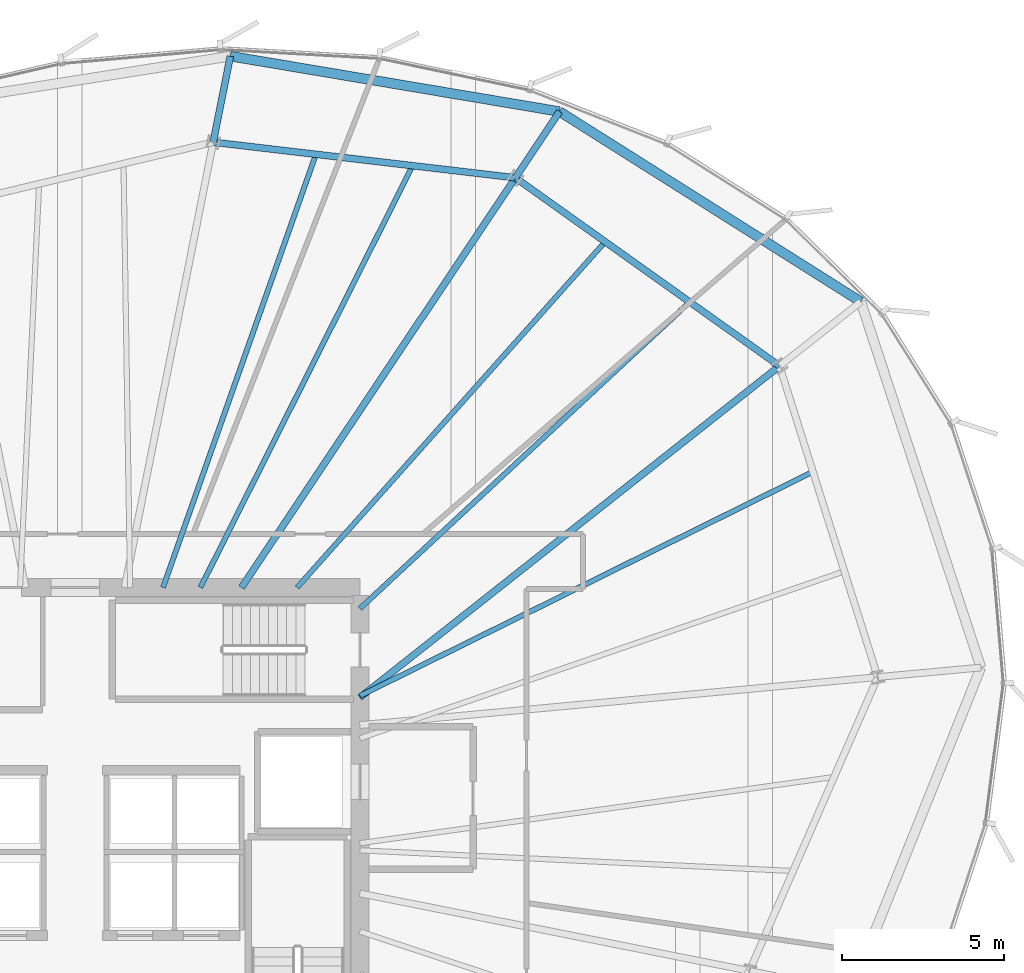
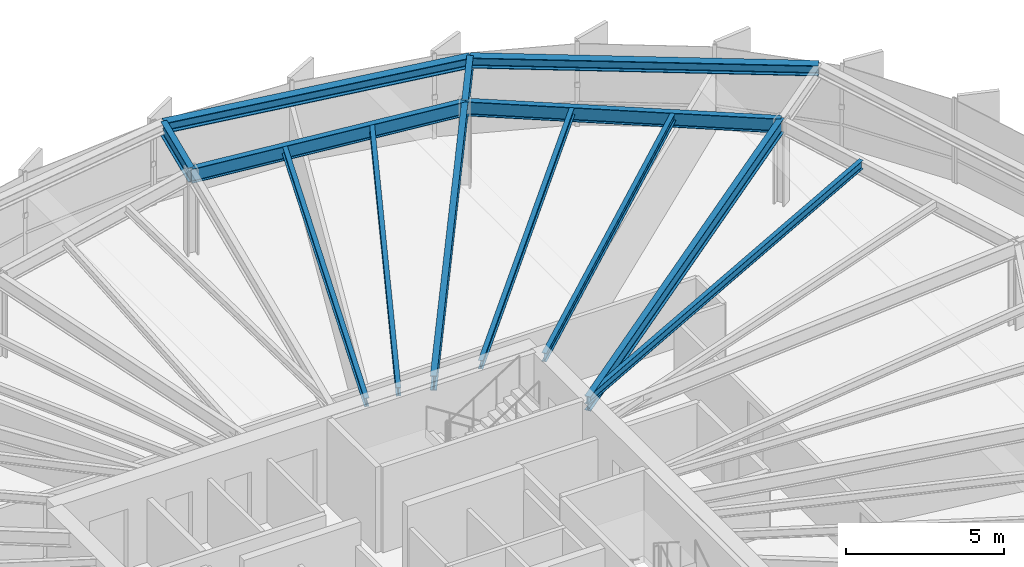
# One storey, part 24 of 35: 13 beams.
"""IFC4 building model written with IfcOpenShell, lengths in metres."""

from ifc_helpers import new_model, si_unit, direction, frame, origin, origin_2d, place, context, subcontext, project, spatial, i_section, extrude, source, transform, mapped, material, material_profile, profile_set, type_object, element, save


model = new_model("IFC4")

# Units and contexts
model_context = context("Model", 3, precision=1e-05, world=origin(), true_north=direction((0.0, 1.0)))
body_context = subcontext(model_context, "Body", "Model", "MODEL_VIEW")
ifc_project = project(units=[si_unit("LENGTHUNIT", "METRE"), si_unit("AREAUNIT", "SQUARE_METRE"), si_unit("VOLUMEUNIT", "CUBIC_METRE"), si_unit("PLANEANGLEUNIT", "RADIAN"), si_unit("MASSUNIT", "GRAM", prefix="KILO"), si_unit("THERMODYNAMICTEMPERATUREUNIT", "KELVIN")], contexts=[model_context])

# Site, building, storey
site_placement = place(None, origin())
site = spatial("IfcSite", under=ifc_project, at=site_placement, CompositionType="ELEMENT")
building_placement = place(site_placement, origin())
building = spatial("IfcBuilding", under=site, at=building_placement, Name="Kethvar Cultural Tower", CompositionType="ELEMENT")
storey_placement = place(building_placement, frame((0.0, 0.0, 135.89990234375)))
storey = spatial("IfcBuildingStorey", under=building, at=storey_placement, Name="L34", CompositionType="ELEMENT", Elevation=135.89990234375)

# Beams
ifc_material = material(Name="Steel S355J2", Category="steel")
ifc_material_profile_1 = material_profile(ifc_material, i_section(OverallWidth=0.2099609375, OverallDepth=0.550048828125, WebThickness=0.010986328125, FlangeThickness=0.01708984375, FilletRadius=0.02392578125, at=origin_2d()), Name="Steel S355J2 — IPE550")
ifc_profile_set_1 = profile_set([ifc_material_profile_1], Name="Steel S355J2 — IPE550")
beam_type_1 = type_object("IfcBeamType", Name="BM-IPE550", PredefinedType="BEAM", material=ifc_profile_set_1)
shared_shape_1 = source(origin(), body_context, "Body", "SweptSolid", [
    extrude(i_section(OverallWidth=0.2099609375, OverallDepth=0.550048828125, WebThickness=0.010986328125, FlangeThickness=0.01708984375, FilletRadius=0.02392578125, at=origin_2d()), origin(), (0.0, 0.0, 1.0), 16.527099609375),
])
beam_1_placement = place(storey_placement, frame((55.60009765625, 32.10009765625, 3.023193359375), z_axis=(0.784681939021, 0.619898584105, 0.0), x_axis=(-0.619898584105, 0.784681939021, 0.0)))
element("IfcBeam", 1, at=beam_1_placement, inside=storey, type_object=beam_type_1, Name="L34 Primary Radial Beam RB-02", PredefinedType="BEAM", context=body_context, shape_type="MappedRepresentation", body=[
    mapped(shared_shape_1, transform((0.0, 0.0, 0.0), scale=1.0)),
])
shared_shape_2 = source(origin(), body_context, "Body", "SweptSolid", [
    extrude(i_section(OverallWidth=0.2099609375, OverallDepth=0.550048828125, WebThickness=0.010986328125, FlangeThickness=0.01708984375, FilletRadius=0.02392578125, at=origin_2d()), origin(), (0.0, 0.0, 1.0), 15.22705078125),
])
beam_2_placement = place(storey_placement, frame((51.945068359375, 35.5, 3.023193359375), z_axis=(0.555569390778, 0.83147017507, 0.0), x_axis=(-0.83147017507, 0.555569390778, 0.0)))
element("IfcBeam", 2, at=beam_2_placement, inside=storey, type_object=beam_type_1, Name="L34 Primary Radial Beam RB-03", PredefinedType="BEAM", context=body_context, shape_type="MappedRepresentation", body=[
    mapped(shared_shape_2, transform((0.0, 0.0, 0.0), scale=1.0)),
])
ifc_material_profile_2 = material_profile(ifc_material, i_section(OverallWidth=0.159912109375, OverallDepth=0.330078125, WebThickness=0.007568359375, FlangeThickness=0.011474609375, FilletRadius=0.01806640625, at=origin_2d()), Name="Steel S355J2 — IPE330")
ifc_profile_set_2 = profile_set([ifc_material_profile_2], Name="Steel S355J2 — IPE330")
beam_type_2 = type_object("IfcBeamType", Name="BM-J330", PredefinedType="JOIST", material=ifc_profile_set_2)
shared_shape_3 = source(origin(), body_context, "Body", "SweptSolid", [
    extrude(i_section(OverallWidth=0.159912109375, OverallDepth=0.330078125, WebThickness=0.007568359375, FlangeThickness=0.011474609375, FilletRadius=0.01806640625, at=origin_2d()), origin(), (0.0, 0.0, 1.0), 15.618896484375),
])
beam_3_placement = place(storey_placement, frame((55.60009765625, 32.152587890625, 3.133056640625), z_axis=(0.896344638992, 0.443357968408, 0.0), x_axis=(-0.443357968408, 0.896344638992, 0.0)))
element("IfcBeam", 3, at=beam_3_placement, inside=storey, type_object=beam_type_2, Name="L34 Composite Floor Joist J-01B", PredefinedType="JOIST", context=body_context, shape_type="MappedRepresentation", body=[
    mapped(shared_shape_3, transform((0.0, 0.0, 0.0), scale=1.0)),
])
shared_shape_4 = source(origin(), body_context, "Body", "SweptSolid", [
    extrude(i_section(OverallWidth=0.2099609375, OverallDepth=0.550048828125, WebThickness=0.010986328125, FlangeThickness=0.01708984375, FilletRadius=0.02392578125, at=origin_2d()), origin(), (0.0, 0.0, 1.0), 10.0234375),
])
beam_4_placement = place(storey_placement, frame((68.568603515625, 42.34521484375, 3.023193359375), z_axis=(-0.814470106239, 0.580205520521, 0.0), x_axis=(-0.580205520521, -0.814470106239, 0.0)))
element("IfcBeam", 4, at=beam_4_placement, inside=storey, type_object=beam_type_1, Name="L34 Column Ring Tie Beam CR-02", PredefinedType="BEAM", context=body_context, shape_type="MappedRepresentation", body=[
    mapped(shared_shape_4, transform((0.0, 0.0, 0.0), scale=1.0)),
])
shared_shape_5 = source(origin(), body_context, "Body", "SweptSolid", [
    extrude(i_section(OverallWidth=0.159912109375, OverallDepth=0.330078125, WebThickness=0.007568359375, FlangeThickness=0.011474609375, FilletRadius=0.01806640625, at=origin_2d()), origin(), (0.0, 0.0, 1.0), 13.91455078125),
])
beam_5_placement = place(storey_placement, frame((55.60009765625, 34.85009765625, 3.133056640625), z_axis=(0.732512843328, 0.680753211054, 0.0), x_axis=(-0.680753211054, 0.732512843328, 0.0)))
element("IfcBeam", 5, at=beam_5_placement, inside=storey, type_object=beam_type_2, Name="L34 Composite Floor Joist J-02A", PredefinedType="JOIST", context=body_context, shape_type="MappedRepresentation", body=[
    mapped(shared_shape_5, transform((0.0, 0.0, 0.0), scale=1.0)),
])
shared_shape_6 = source(origin(), body_context, "Body", "SweptSolid", [
    extrude(i_section(OverallWidth=0.159912109375, OverallDepth=0.330078125, WebThickness=0.007568359375, FlangeThickness=0.011474609375, FilletRadius=0.01806640625, at=origin_2d()), origin(), (0.0, 0.0, 1.0), 14.3095703125),
])
beam_6_placement = place(storey_placement, frame((53.660888671875, 35.5, 3.133056640625), z_axis=(0.665261381663, 0.746610537073, 0.0), x_axis=(-0.746610537073, 0.665261381663, 0.0)))
element("IfcBeam", 6, at=beam_6_placement, inside=storey, type_object=beam_type_2, Name="L34 Composite Floor Joist J-02B", PredefinedType="JOIST", context=body_context, shape_type="MappedRepresentation", body=[
    mapped(shared_shape_6, transform((0.0, 0.0, 0.0), scale=1.0)),
])
shared_shape_7 = source(origin(), body_context, "Body", "SweptSolid", [
    extrude(i_section(OverallWidth=0.2099609375, OverallDepth=0.550048828125, WebThickness=0.010986328125, FlangeThickness=0.01708984375, FilletRadius=0.02392578125, at=origin_2d()), origin(), (0.0, 0.0, 1.0), 9.400634765625),
])
beam_7_placement = place(storey_placement, frame((60.40478515625, 48.160888671875, 3.023193359375), z_axis=(-0.993150427046, 0.116842754407, 0.0), x_axis=(-0.116842754407, -0.993150427046, 0.0)))
element("IfcBeam", 7, at=beam_7_placement, inside=storey, type_object=beam_type_1, Name="L34 Column Ring Tie Beam CR-03", PredefinedType="BEAM", context=body_context, shape_type="MappedRepresentation", body=[
    mapped(shared_shape_7, transform((0.0, 0.0, 0.0), scale=1.0)),
])
shared_shape_8 = source(origin(), body_context, "Body", "SweptSolid", [
    extrude(i_section(OverallWidth=0.159912109375, OverallDepth=0.330078125, WebThickness=0.007568359375, FlangeThickness=0.011474609375, FilletRadius=0.01806640625, at=origin_2d()), origin(), (0.0, 0.0, 1.0), 14.590576171875),
])
beam_8_placement = place(storey_placement, frame((50.673583984375, 35.5, 3.133056640625), z_axis=(0.449394228778, 0.893333547529, 0.0), x_axis=(-0.893333547529, 0.449394228778, 0.0)))
element("IfcBeam", 8, at=beam_8_placement, inside=storey, type_object=beam_type_2, Name="L34 Composite Floor Joist J-03A", PredefinedType="JOIST", context=body_context, shape_type="MappedRepresentation", body=[
    mapped(shared_shape_8, transform((0.0, 0.0, 0.0), scale=1.0)),
])
shared_shape_9 = source(origin(), body_context, "Body", "SweptSolid", [
    extrude(i_section(OverallWidth=0.159912109375, OverallDepth=0.330078125, WebThickness=0.007568359375, FlangeThickness=0.011474609375, FilletRadius=0.01806640625, at=origin_2d()), origin(), (0.0, 0.0, 1.0), 14.1953125),
])
beam_9_placement = place(storey_placement, frame((49.517822265625, 35.5, 3.133056640625), z_axis=(0.332865098769, 0.942974456717, 0.0), x_axis=(-0.942974456717, 0.332865098769, 0.0)))
element("IfcBeam", 9, at=beam_9_placement, inside=storey, type_object=beam_type_2, Name="L34 Composite Floor Joist J-03B", PredefinedType="JOIST", context=body_context, shape_type="MappedRepresentation", body=[
    mapped(shared_shape_9, transform((0.0, 0.0, 0.0), scale=1.0)),
])
shared_shape_10 = source(origin(), body_context, "Body", "SweptSolid", [
    extrude(i_section(OverallWidth=0.2099609375, OverallDepth=0.550048828125, WebThickness=0.010986328125, FlangeThickness=0.01708984375, FilletRadius=0.02392578125, at=origin_2d()), origin(), (0.0, 0.0, 1.0), 2.4599609375),
])
beam_10_placement = place(storey_placement, frame((60.40478515625, 48.160888671875, 3.023193359375), z_axis=(0.555570189898, 0.831469641116, 0.0), x_axis=(-0.831469641116, 0.555570189898, 0.0)))
element("IfcBeam", 10, at=beam_10_placement, inside=storey, type_object=beam_type_1, Name="L34 Perimeter Cantilever Beam RC-03", PredefinedType="BEAM", context=body_context, shape_type="MappedRepresentation", body=[
    mapped(shared_shape_10, transform((0.0, 0.0, 0.0), scale=1.0)),
])
shared_shape_11 = source(origin(), body_context, "Body", "SweptSolid", [
    extrude(i_section(OverallWidth=0.2099609375, OverallDepth=0.550048828125, WebThickness=0.010986328125, FlangeThickness=0.01708984375, FilletRadius=0.02392578125, at=origin_2d()), origin(), (0.0, 0.0, 1.0), 2.71142578125),
])
beam_11_placement = place(storey_placement, frame((51.068603515625, 49.25927734375, 3.023193359375), z_axis=(0.195025152871, 0.980798241101, 0.0), x_axis=(-0.980798241101, 0.195025152871, 0.0)))
element("IfcBeam", 11, at=beam_11_placement, inside=storey, type_object=beam_type_1, Name="L34 Perimeter Cantilever Beam RC-04", PredefinedType="BEAM", context=body_context, shape_type="MappedRepresentation", body=[
    mapped(shared_shape_11, transform((0.0, 0.0, 0.0), scale=1.0)),
])
ifc_material_profile_3 = material_profile(ifc_material, i_section(OverallWidth=0.300048828125, OverallDepth=0.39990234375, WebThickness=0.013427734375, FlangeThickness=0.02392578125, FilletRadius=0.027099609375, at=origin_2d()), Name="Steel S355J2 — HEB400")
ifc_profile_set_3 = profile_set([ifc_material_profile_3], Name="Steel S355J2 — HEB400")
beam_type_3 = type_object("IfcBeamType", Name="BM-SP400", PredefinedType="SPANDREL", material=ifc_profile_set_3)
shared_shape_12 = source(origin(), body_context, "Body", "SweptSolid", [
    extrude(i_section(OverallWidth=0.300048828125, OverallDepth=0.39990234375, WebThickness=0.013427734375, FlangeThickness=0.02392578125, FilletRadius=0.027099609375, at=origin_2d()), origin(), (0.0, 0.0, 1.0), 11.00830078125),
])
beam_12_placement = place(storey_placement, frame((71.07958984375, 44.3291015625, 3.09814453125), z_axis=(-0.84555477156, 0.533888685301, 0.0), x_axis=(-0.533888685301, -0.84555477156, 0.0)))
element("IfcBeam", 12, at=beam_12_placement, inside=storey, type_object=beam_type_3, Name="L34 Perimeter Spandrel Beam SP-02", PredefinedType="SPANDREL", context=body_context, shape_type="MappedRepresentation", body=[
    mapped(shared_shape_12, transform((0.0, 0.0, 0.0), scale=1.0)),
])
shared_shape_13 = source(origin(), body_context, "Body", "SweptSolid", [
    extrude(i_section(OverallWidth=0.300048828125, OverallDepth=0.39990234375, WebThickness=0.013427734375, FlangeThickness=0.02392578125, FilletRadius=0.027099609375, at=origin_2d()), origin(), (0.0, 0.0, 1.0), 10.317138671875),
])
beam_13_placement = place(storey_placement, frame((61.771484375, 50.206298828125, 3.09814453125), z_axis=(-0.986129806067, 0.165975918694, 0.0), x_axis=(-0.165975918694, -0.986129806067, 0.0)))
element("IfcBeam", 13, at=beam_13_placement, inside=storey, type_object=beam_type_3, Name="L34 Perimeter Spandrel Beam SP-03", PredefinedType="SPANDREL", context=body_context, shape_type="MappedRepresentation", body=[
    mapped(shared_shape_13, transform((0.0, 0.0, 0.0), scale=1.0)),
])

save(model, "model.ifc")
